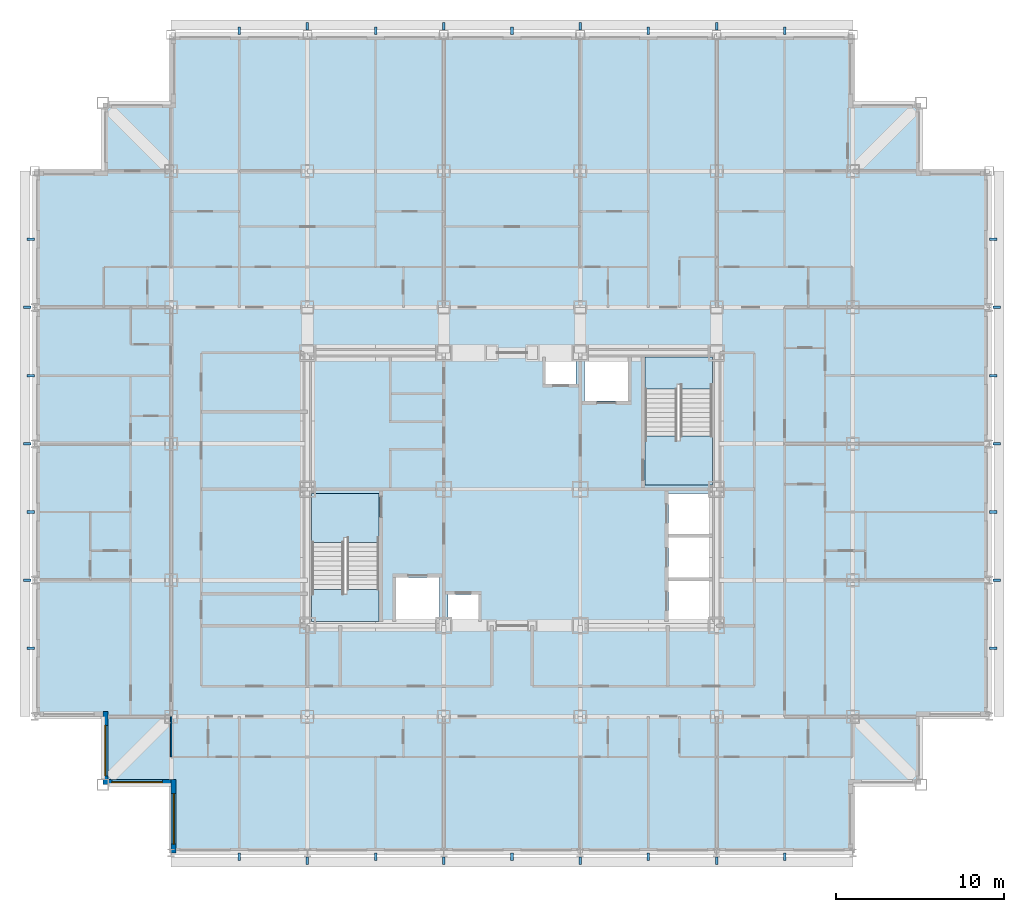
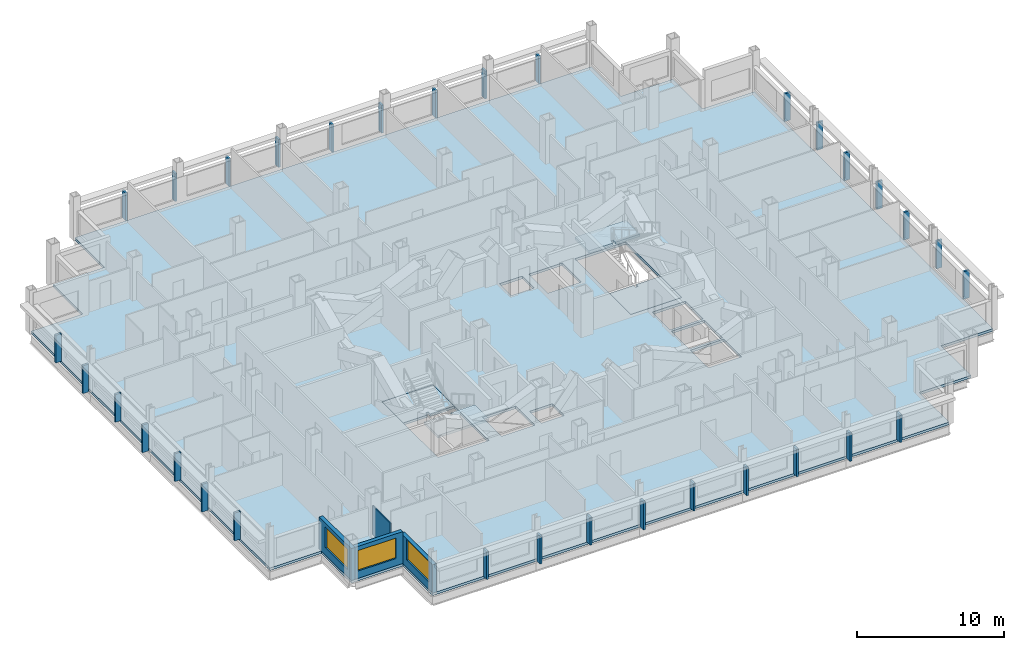
# One storey, part 3 of 12: 32 plates, 5 slabs, 4 walls, 3 windows, 3 openings, 2 elements without a shape of their own.
"""IFC4 building model written with IfcOpenShell, lengths in metres."""

from ifc_helpers import new_model, si_unit, direction, frame, frame_2d, origin, origin_2d, place, context, subcontext, project, spatial, polyline, rectangle, outline, extrude, material, layer, layer_set, type_object, element, fill, aggregate, save


model = new_model("IFC4")

# Units and contexts
model_context = context("Model", 3, precision=1e-05, world=origin(), true_north=direction((0.0, 1.0)))
body_context = subcontext(model_context, "Body", "Model", "MODEL_VIEW")
ifc_project = project(units=[si_unit("LENGTHUNIT", "METRE"), si_unit("AREAUNIT", "SQUARE_METRE"), si_unit("VOLUMEUNIT", "CUBIC_METRE"), si_unit("PLANEANGLEUNIT", "RADIAN"), si_unit("MASSUNIT", "GRAM", prefix="KILO")], contexts=[model_context])

# Site, building, storey
site_placement = place(None, origin())
site = spatial("IfcSite", under=ifc_project, at=site_placement, CompositionType="ELEMENT")
building_placement = place(site_placement, origin())
building = spatial("IfcBuilding", under=site, at=building_placement, Name="Kopane Lantern Tower", CompositionType="ELEMENT")
storey_placement = place(building_placement, frame((0.0, 0.0, 231.60009765625)))
storey = spatial("IfcBuildingStorey", under=building, at=storey_placement, Name="L60", CompositionType="ELEMENT", Elevation=231.60009765625)

# Slab
ifc_material_1 = material(Name="Concrete C40/50", Category="concrete")
ifc_layer_1 = layer(ifc_material_1, 0.2099609375)
ifc_layer_set_1 = layer_set([ifc_layer_1], Name="SLAB 210 COMPOSITE")
slab_type_1 = type_object("IfcSlabType", Name="SLAB 210 COMPOSITE", PredefinedType="FLOOR", material=ifc_layer_set_1)
slab_1_placement = place(storey_placement, frame((0.0, 0.0, -0.210205078125)))
element("IfcSlab", 1, at=slab_1_placement, inside=storey, type_object=slab_type_1, Name="Floor slab L60", PredefinedType="FLOOR", context=body_context, shape_type="SweptSolid", body=[
    extrude(outline(polyline([(8.10009765625, 10.800048828125), (48.60009765625, 10.800048828125), (48.60009765625, 14.85009765625), (52.64990234375, 14.85009765625), (52.64990234375, 18.89990234375), (56.699951171875, 18.89990234375), (56.699951171875, 51.300048828125), (52.64990234375, 51.300048828125), (52.64990234375, 55.35009765625), (48.60009765625, 55.35009765625), (48.60009765625, 59.39990234375), (8.10009765625, 59.39990234375), (8.10009765625, 55.35009765625), (4.050048828125, 55.35009765625), (4.050048828125, 51.300048828125), (0.0, 51.300048828125), (0.0, 18.89990234375), (4.050048828125, 18.89990234375), (4.050048828125, 14.85009765625), (8.10009765625, 14.85009765625), (8.10009765625, 10.800048828125)]), holes=[polyline([(16.449951171875, 24.550048828125), (20.449951171875, 24.550048828125), (20.449951171875, 32.14990234375), (16.449951171875, 32.14990234375), (16.449951171875, 24.550048828125)]), polyline([(36.25, 32.64990234375), (40.25, 32.64990234375), (40.25, 40.25), (36.25, 40.25), (36.25, 32.64990234375)]), polyline([(37.64990234375, 24.550048828125), (40.25, 24.550048828125), (40.25, 26.949951171875), (37.64990234375, 26.949951171875), (37.64990234375, 24.550048828125)]), polyline([(37.64990234375, 27.14990234375), (40.25, 27.14990234375), (40.25, 29.550048828125), (37.64990234375, 29.550048828125), (37.64990234375, 27.14990234375)]), polyline([(37.64990234375, 29.75), (40.25, 29.75), (40.25, 32.14990234375), (37.64990234375, 32.14990234375), (37.64990234375, 29.75)]), polyline([(21.449951171875, 24.550048828125), (24.050048828125, 24.550048828125), (24.050048828125, 27.14990234375), (21.449951171875, 27.14990234375), (21.449951171875, 24.550048828125)]), polyline([(32.64990234375, 37.64990234375), (35.25, 37.64990234375), (35.25, 40.25), (32.64990234375, 40.25), (32.64990234375, 37.64990234375)]), polyline([(24.550048828125, 24.550048828125), (26.35009765625, 24.550048828125), (26.35009765625, 26.14990234375), (24.550048828125, 26.14990234375), (24.550048828125, 24.550048828125)]), polyline([(30.35009765625, 38.64990234375), (32.14990234375, 38.64990234375), (32.14990234375, 40.25), (30.35009765625, 40.25), (30.35009765625, 38.64990234375)])]), origin(), (0.0, 0.0, 1.0), 0.210205078125),
])

# Stair, slabs
ifc_material_2 = material(Name="Steel S355JR", Category="steel")
stair_type = type_object("IfcStairType", Name="EXIT STAIR 1900 HALF TURN", PredefinedType="HALF_TURN_STAIR", material=ifc_material_2)
stair_1_placement = place(storey_placement, origin())
stair_1 = element("IfcStair", 2, at=stair_1_placement, inside=storey, type_object=stair_type, Name="Exit stair ST1 L60", PredefinedType="HALF_TURN_STAIR")
ifc_material_3 = material(Name="Concrete C40/50", Category="concrete")
ifc_layer_2 = layer(ifc_material_3, 0.199951171875)
ifc_layer_set_2 = layer_set([ifc_layer_2], Name="STAIR LANDING 200")
slab_type_2 = type_object("IfcSlabType", Name="STAIR LANDING 200", PredefinedType="LANDING", material=ifc_layer_set_2)
slab_2_placement = place(storey_placement, frame((0.0, 0.0, -0.2001953125)))
slab_2 = element("IfcSlab", 3, at=slab_2_placement, type_object=slab_type_2, Name="ST1 landing 1", PredefinedType="LANDING", context=body_context, shape_type="SweptSolid", body=[
    extrude(outline(polyline([(18.35009765625, 29.530029296875), (18.550048828125, 29.530029296875), (18.550048828125, 29.25), (20.449951171875, 29.25), (20.449951171875, 32.14990234375), (16.449951171875, 32.14990234375), (16.449951171875, 29.25), (18.35009765625, 29.25), (18.35009765625, 29.530029296875)])), origin(), (0.0, 0.0, 1.0), 0.2001953125),
])
slab_3_placement = place(storey_placement, frame((0.0, 0.0, 1.599853515625)))
slab_3 = element("IfcSlab", 4, at=slab_3_placement, type_object=slab_type_2, Name="ST1 landing 2", PredefinedType="LANDING", context=body_context, shape_type="SweptSolid", body=[
    extrude(outline(polyline([(20.449951171875, 26.449951171875), (18.550048828125, 26.449951171875), (18.550048828125, 26.169921875), (18.35009765625, 26.169921875), (18.35009765625, 26.449951171875), (16.449951171875, 26.449951171875), (16.449951171875, 24.550048828125), (20.449951171875, 24.550048828125), (20.449951171875, 26.449951171875)])), origin(), (0.0, 0.0, 1.0), 0.199951171875),
])
aggregate(stair_1, [slab_2, slab_3])

stair_2_placement = place(storey_placement, origin())
stair_2 = element("IfcStair", 5, at=stair_2_placement, inside=storey, type_object=stair_type, Name="Exit stair ST2 L60", PredefinedType="HALF_TURN_STAIR")
slab_4_placement = place(storey_placement, frame((0.0, 0.0, -0.2001953125)))
slab_4 = element("IfcSlab", 6, at=slab_4_placement, type_object=slab_type_2, Name="ST2 landing 1", PredefinedType="LANDING", context=body_context, shape_type="SweptSolid", body=[
    extrude(outline(polyline([(40.25, 35.550048828125), (38.35009765625, 35.550048828125), (38.35009765625, 35.27001953125), (38.14990234375, 35.27001953125), (38.14990234375, 35.550048828125), (36.25, 35.550048828125), (36.25, 32.64990234375), (40.25, 32.64990234375), (40.25, 35.550048828125)])), origin(), (0.0, 0.0, 1.0), 0.2001953125),
])
slab_5_placement = place(storey_placement, frame((0.0, 0.0, 1.599853515625)))
slab_5 = element("IfcSlab", 7, at=slab_5_placement, type_object=slab_type_2, Name="ST2 landing 2", PredefinedType="LANDING", context=body_context, shape_type="SweptSolid", body=[
    extrude(outline(polyline([(38.14990234375, 38.6298828125), (38.35009765625, 38.6298828125), (38.35009765625, 38.35009765625), (40.25, 38.35009765625), (40.25, 40.25), (36.25, 40.25), (36.25, 38.35009765625), (38.14990234375, 38.35009765625), (38.14990234375, 38.6298828125)])), origin(), (0.0, 0.0, 1.0), 0.199951171875),
])
aggregate(stair_2, [slab_4, slab_5])

# Plates
ifc_material_4 = material(Name="Terracotta rainscreen on light steel framing", Category="masonry")
ifc_layer_3 = layer(ifc_material_4, 0.14990234375)
ifc_layer_set_3 = layer_set([ifc_layer_3], Name="TERRACOTTA FIN TF1 150x450")
plate_type = type_object("IfcPlateType", Name="TERRACOTTA FIN TF1 150x450", PredefinedType="USERDEFINED", material=ifc_layer_set_3)
for number, where, z_axis, x_axis, name in (
    (8, (12.14990234375, 10.574951171875, 0.0), (0.0, 0.0, 1.0), (1.0, 0.0, 0.0), "Terracotta fin L60"),
    (9, (16.199951171875, 10.337646484375, 0.0), (0.0, 0.0, 1.0), (1.0, 0.0, 0.0), "Terracotta fin L60"),
    (10, (20.25, 10.574951171875, 0.0), (0.0, 0.0, 1.0), (1.0, 0.0, 0.0), "Terracotta fin L60"),
    (11, (24.300048828125, 10.337646484375, 0.0), (0.0, 0.0, 1.0), (1.0, 0.0, 0.0), "Terracotta fin L60"),
    (12, (28.35009765625, 10.574951171875, 0.0), (0.0, 0.0, 1.0), (1.0, 0.0, 0.0), "Terracotta fin L60"),
    (13, (32.39990234375, 10.337646484375, 0.0), (0.0, 0.0, 1.0), (1.0, 0.0, 0.0), "Terracotta fin L60"),
    (14, (36.449951171875, 10.574951171875, 0.0), (0.0, 0.0, 1.0), (1.0, 0.0, 0.0), "Terracotta fin L60"),
    (15, (40.5, 10.337646484375, 0.0), (0.0, 0.0, 1.0), (1.0, 0.0, 0.0), "Terracotta fin L60"),
    (16, (44.550048828125, 10.574951171875, 0.0), (0.0, 0.0, 1.0), (1.0, 0.0, 0.0), "Terracotta fin L60"),
    (17, (56.925048828125, 22.949951171875, 0.0), (0.0, 0.0, 1.0), (0.0, 1.0, 0.0), "Terracotta fin L60"),
    (18, (57.136962890625, 27.0, 0.0), (0.0, 0.0, 1.0), (0.0, 1.0, 0.0), "Terracotta fin L60"),
    (19, (56.925048828125, 31.050048828125, 0.0), (0.0, 0.0, 1.0), (0.0, 1.0, 0.0), "Terracotta fin L60"),
    (20, (57.136962890625, 35.10009765625, 0.0), (0.0, 0.0, 1.0), (0.0, 1.0, 0.0), "Terracotta fin L60"),
    (21, (56.925048828125, 39.14990234375, 0.0), (0.0, 0.0, 1.0), (0.0, 1.0, 0.0), "Terracotta fin L60"),
    (22, (57.136962890625, 43.199951171875, 0.0), (0.0, 0.0, 1.0), (0.0, 1.0, 0.0), "Terracotta fin L60"),
    (23, (56.925048828125, 47.25, 0.0), (0.0, 0.0, 1.0), (0.0, 1.0, 0.0), "Terracotta fin L60"),
    (24, (44.550048828125, 59.625, 0.0), (0.0, 0.0, 1.0), (-1.0, 0.0, 0.0), "Terracotta fin L60"),
    (25, (40.5, 59.89990234375, 0.0), (0.0, 0.0, 1.0), (-1.0, 0.0, 0.0), "Terracotta fin L60"),
    (26, (36.449951171875, 59.625, 0.0), (0.0, 0.0, 1.0), (-1.0, 0.0, 0.0), "Terracotta fin L60"),
    (27, (32.39990234375, 59.89990234375, 0.0), (0.0, 0.0, 1.0), (-1.0, 0.0, 0.0), "Terracotta fin L60"),
    (28, (28.35009765625, 59.625, 0.0), (0.0, 0.0, 1.0), (-1.0, 0.0, 0.0), "Terracotta fin L60"),
    (29, (24.300048828125, 59.89990234375, 0.0), (0.0, 0.0, 1.0), (-1.0, 0.0, 0.0), "Terracotta fin L60"),
    (30, (20.25, 59.625, 0.0), (0.0, 0.0, 1.0), (-1.0, 0.0, 0.0), "Terracotta fin L60"),
    (31, (16.199951171875, 59.89990234375, 0.0), (0.0, 0.0, 1.0), (-1.0, 0.0, 0.0), "Terracotta fin L60"),
    (32, (12.14990234375, 59.625, 0.0), (0.0, 0.0, 1.0), (-1.0, 0.0, 0.0), "Terracotta fin L60"),
    (33, (-0.22509765625, 47.25, 0.0), (0.0, 0.0, 1.0), (0.0, -1.0, 0.0), "Terracotta fin L60"),
    (34, (-0.43701171875, 43.199951171875, 0.0), (0.0, 0.0, 1.0), (0.0, -1.0, 0.0), "Terracotta fin L60"),
    (35, (-0.22509765625, 39.14990234375, 0.0), (0.0, 0.0, 1.0), (0.0, -1.0, 0.0), "Terracotta fin L60"),
    (36, (-0.43701171875, 35.10009765625, 0.0), (0.0, 0.0, 1.0), (0.0, -1.0, 0.0), "Terracotta fin L60"),
    (37, (-0.22509765625, 31.050048828125, 0.0), (0.0, 0.0, 1.0), (0.0, -1.0, 0.0), "Terracotta fin L60"),
    (38, (-0.43701171875, 27.0, 0.0), (0.0, 0.0, 1.0), (0.0, -1.0, 0.0), "Terracotta fin L60"),
    (39, (-0.22509765625, 22.949951171875, 0.0), (0.0, 0.0, 1.0), (0.0, -1.0, 0.0), "Terracotta fin L60"),
):
    element("IfcPlate", number, at=place(storey_placement, frame(where, z_axis=z_axis, x_axis=x_axis)), inside=storey, type_object=plate_type, Name=name, ObjectType="TERRACOTTA FIN", PredefinedType="USERDEFINED", context=body_context, shape_type="SweptSolid", body=[
        extrude(rectangle(XDim=0.14990234375, YDim=0.449951171875, at=origin_2d()), origin(), (0.0, 0.0, 1.0), 2.300048828125),
    ])

# Wall
ifc_material_5 = material(Name="Moisture-resistant board on steel studs", Category="steel")
ifc_layer_4 = layer(ifc_material_5, 0.10009765625)
ifc_layer_set_4 = layer_set([ifc_layer_4], Name="BATHROOM WALL 100")
wall_type_1 = type_object("IfcWallType", Name="BATHROOM WALL 100", PredefinedType="PARTITIONING", material=ifc_layer_set_4)
wall_1_placement = place(storey_placement, frame((8.10009765625, 18.89990234375, 0.0), z_axis=(0.0, 0.0, 1.0), x_axis=(0.0, -1.0, 0.0)))
element("IfcWall", 40, at=wall_1_placement, inside=storey, type_object=wall_type_1, Name="Bathroom Wall 100 L60", PredefinedType="PARTITIONING", context=body_context, shape_type="SweptSolid", body=[
    extrude(rectangle(XDim=2.39990234375, YDim=0.10009765625, at=frame_2d((1.199951171875, 0.0))), origin(), (0.0, 0.0, 1.0), 2.349853515625),
])

# Wall, opening, window
ifc_material_6 = material(Name="Terracotta rainscreen on light steel framing", Category="masonry")
ifc_layer_5 = layer(ifc_material_6, 0.300048828125)
ifc_layer_set_5 = layer_set([ifc_layer_5], Name="EXTERNAL WALL EW1 300 TERRACOTTA")
wall_type_2 = type_object("IfcWallType", Name="EXTERNAL WALL EW1 300 TERRACOTTA", PredefinedType="SOLIDWALL", material=ifc_layer_set_5)
wall_2_placement = place(storey_placement, frame((4.199951171875, 19.199951171875, 0.0), z_axis=(0.0, 0.0, 1.0), x_axis=(0.0, -1.0, 0.0)))
wall_2 = element("IfcWall", 41, at=wall_2_placement, inside=storey, type_object=wall_type_2, Name="External wall W L60", PredefinedType="SOLIDWALL", context=body_context, shape_type="SweptSolid", body=[
    extrude(rectangle(XDim=4.349853515625, YDim=0.300048828125, at=frame_2d((2.1748046875, 0.0))), origin(), (0.0, 0.0, 1.0), 2.64990234375),
])
opening_1_placement = place(wall_2_placement, frame((0.824951171875, 0.0, 0.60009765625)))
opening_1 = element("IfcOpeningElement", 42, at=opening_1_placement, cuts=wall_2, Name="Opening WR300170", PredefinedType="OPENING", context=body_context, shape_type="SweptSolid", body=[
    extrude(rectangle(XDim=3.0, YDim=1.699951171875, at=frame_2d((1.5, 0.85009765625))), frame((0.0, 0.159912109375, 0.0), z_axis=(0.0, -1.0, 0.0), x_axis=(1.0, 0.0, 0.0)), (0.0, 0.0, 1.0), 0.320068359375),
])
ifc_material_7 = material(Name="Aluminium and clear glass", Category="aluminium")
window_type = type_object("IfcWindowType", Name="RIBBON WINDOW WR300170 3000x1700", PartitioningType="SINGLE_PANEL", PredefinedType="WINDOW", material=ifc_material_7)
window_1_placement = place(opening_1_placement, origin())
window_1 = element("IfcWindow", 43, at=window_1_placement, inside=storey, type_object=window_type, Name="Window W L60", OverallHeight=1.699951171875, OverallWidth=3.0, PartitioningType="SINGLE_PANEL", PredefinedType="WINDOW", context=body_context, shape_type="SweptSolid", body=[
    extrude(rectangle(XDim=3.0, YDim=1.699951171875, at=frame_2d((1.5, 0.85009765625))), frame((0.0, 0.030029296875, 0.0), z_axis=(0.0, -1.0, 0.0), x_axis=(1.0, 0.0, 0.0)), (0.0, 0.0, 1.0), 0.06005859375),
])
fill(opening_1, window_1)

wall_3_placement = place(storey_placement, frame((4.35009765625, 15.0, 0.0), z_axis=(0.0, 0.0, 1.0), x_axis=(1.0, 0.0, 0.0)))
wall_3 = element("IfcWall", 44, at=wall_3_placement, inside=storey, type_object=wall_type_2, Name="External wall S L60", PredefinedType="SOLIDWALL", context=body_context, shape_type="SweptSolid", body=[
    extrude(rectangle(XDim=3.75, YDim=0.300048828125, at=frame_2d((1.875, 0.0))), origin(), (0.0, 0.0, 1.0), 2.64990234375),
])
opening_2_placement = place(wall_3_placement, frame((0.22509765625, 0.0, 0.60009765625)))
opening_2 = element("IfcOpeningElement", 45, at=opening_2_placement, cuts=wall_3, Name="Opening WR300170", PredefinedType="OPENING", context=body_context, shape_type="SweptSolid", body=[
    extrude(rectangle(XDim=3.0, YDim=1.699951171875, at=frame_2d((1.5, 0.85009765625))), frame((0.0, 0.159912109375, 0.0), z_axis=(0.0, -1.0, 0.0), x_axis=(1.0, 0.0, 0.0)), (0.0, 0.0, 1.0), 0.320068359375),
])
window_2_placement = place(opening_2_placement, origin())
window_2 = element("IfcWindow", 46, at=window_2_placement, inside=storey, type_object=window_type, Name="Window S L60", OverallHeight=1.699951171875, OverallWidth=3.0, PartitioningType="SINGLE_PANEL", PredefinedType="WINDOW", context=body_context, shape_type="SweptSolid", body=[
    extrude(rectangle(XDim=3.0, YDim=1.699951171875, at=frame_2d((1.5, 0.85009765625))), frame((0.0, 0.030029296875, 0.0), z_axis=(0.0, -1.0, 0.0), x_axis=(1.0, 0.0, 0.0)), (0.0, 0.0, 1.0), 0.06005859375),
])
fill(opening_2, window_2)

wall_4_placement = place(storey_placement, frame((8.25, 15.14990234375, 0.0), z_axis=(0.0, 0.0, 1.0), x_axis=(0.0, -1.0, 0.0)))
wall_4 = element("IfcWall", 47, at=wall_4_placement, inside=storey, type_object=wall_type_2, Name="External wall W L60", PredefinedType="SOLIDWALL", context=body_context, shape_type="SweptSolid", body=[
    extrude(rectangle(XDim=4.349853515625, YDim=0.300048828125, at=frame_2d((2.1748046875, 0.0))), origin(), (0.0, 0.0, 1.0), 2.349853515625),
])
opening_3_placement = place(wall_4_placement, frame((0.824951171875, 0.0, 0.60009765625)))
opening_3 = element("IfcOpeningElement", 48, at=opening_3_placement, cuts=wall_4, Name="Opening WR300170", PredefinedType="OPENING", context=body_context, shape_type="SweptSolid", body=[
    extrude(rectangle(XDim=3.0, YDim=1.699951171875, at=frame_2d((1.5, 0.85009765625))), frame((0.0, 0.159912109375, 0.0), z_axis=(0.0, -1.0, 0.0), x_axis=(1.0, 0.0, 0.0)), (0.0, 0.0, 1.0), 0.320068359375),
])
window_3_placement = place(opening_3_placement, origin())
window_3 = element("IfcWindow", 49, at=window_3_placement, inside=storey, type_object=window_type, Name="Window W L60", OverallHeight=1.699951171875, OverallWidth=3.0, PartitioningType="SINGLE_PANEL", PredefinedType="WINDOW", context=body_context, shape_type="SweptSolid", body=[
    extrude(rectangle(XDim=3.0, YDim=1.699951171875, at=frame_2d((1.5, 0.85009765625))), frame((0.0, 0.030029296875, 0.0), z_axis=(0.0, -1.0, 0.0), x_axis=(1.0, 0.0, 0.0)), (0.0, 0.0, 1.0), 0.06005859375),
])
fill(opening_3, window_3)

save(model, "model.ifc")
